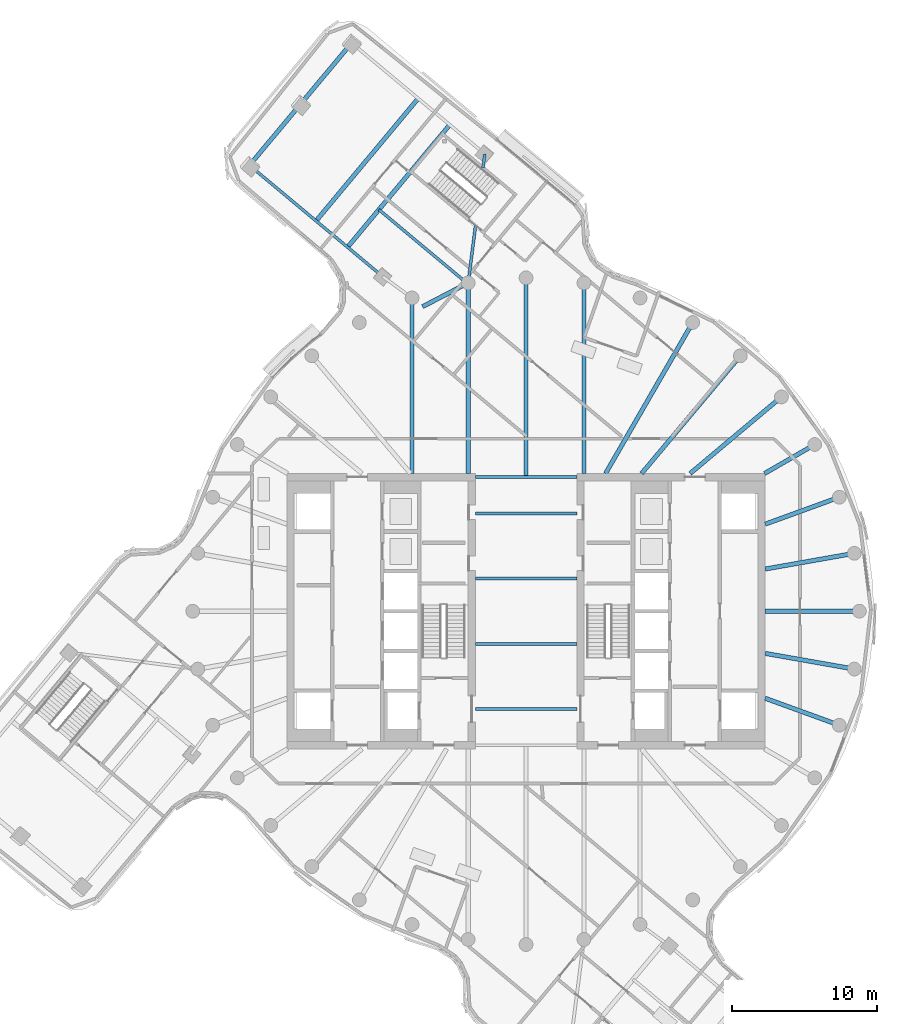
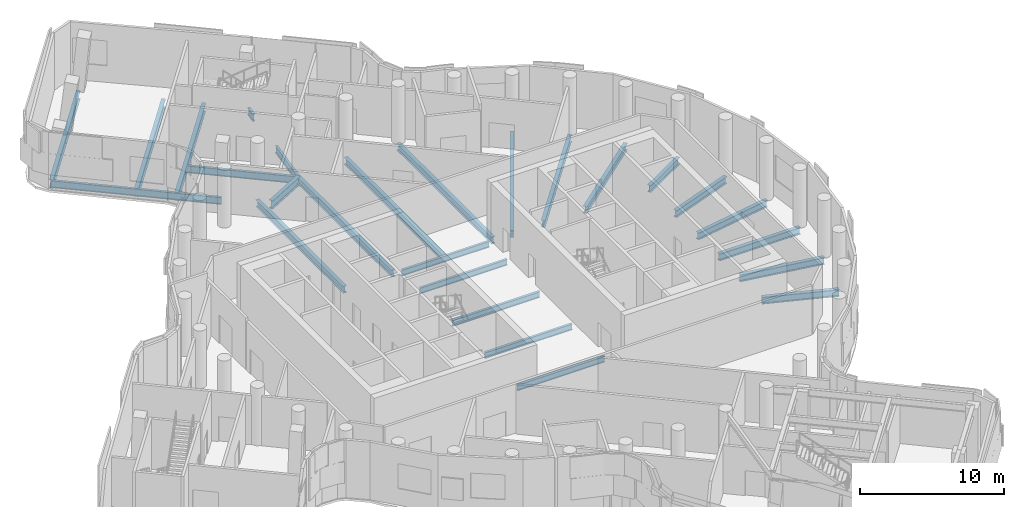
# One storey, part 4 of 19: 27 beams.
"""IFC4 building model written with IfcOpenShell, lengths in metres."""

from ifc_helpers import new_model, si_unit, direction, frame, origin, origin_2d, place, context, subcontext, project, spatial, i_section, extrude, material, material_profile, profile_set, type_object, element, save


model = new_model("IFC4")

# Units and contexts
model_context = context("Model", 3, precision=1e-05, world=origin(), true_north=direction((0.0, 1.0)))
body_context = subcontext(model_context, "Body", "Model", "MODEL_VIEW")
ifc_project = project(units=[si_unit("LENGTHUNIT", "METRE"), si_unit("AREAUNIT", "SQUARE_METRE"), si_unit("VOLUMEUNIT", "CUBIC_METRE"), si_unit("PLANEANGLEUNIT", "RADIAN"), si_unit("MASSUNIT", "GRAM", prefix="KILO")], contexts=[model_context])

# Site, building, storey
site_placement = place(None, origin())
site = spatial("IfcSite", under=ifc_project, at=site_placement, CompositionType="ELEMENT")
building_placement = place(site_placement, origin())
building = spatial("IfcBuilding", under=site, at=building_placement, Name="Tamarind Cross Interchange Tower", CompositionType="ELEMENT")
storey_placement = place(building_placement, frame((0.0, 0.0, 214.89990234375)))
storey = spatial("IfcBuildingStorey", under=building, at=storey_placement, Name="L54", CompositionType="ELEMENT", Elevation=214.89990234375)

# Beams
ifc_material = material(Name="Steel Q355B", Category="steel")
ifc_material_profile_1 = material_profile(ifc_material, i_section(OverallWidth=0.300048828125, OverallDepth=0.58203125, WebThickness=0.011962890625, FlangeThickness=0.01708984375, FilletRadius=0.01806640625, at=origin_2d()), Name="HM 582x300x12x17")
ifc_profile_set_1 = profile_set([ifc_material_profile_1], Name="Steel Q355B")
beam_type_1 = type_object("IfcBeamType", Name="Composite beam HM 582x300x12x17 Q355B", PredefinedType="BEAM", material=ifc_profile_set_1)
beam_1_placement = place(storey_placement, frame((23.0, 0.0, -0.470947265625), z_axis=(-1.0, 0.0, 0.0), x_axis=(0.0, -1.0, 0.0)))
element("IfcBeam", 1, at=beam_1_placement, inside=storey, type_object=beam_type_1, Name="Beam HH00", PredefinedType="BEAM", context=body_context, shape_type="SweptSolid", body=[
    extrude(i_section(OverallWidth=0.300048828125, OverallDepth=0.58203125, WebThickness=0.011962890625, FlangeThickness=0.01708984375, FilletRadius=0.01806640625, at=origin_2d()), origin(), (0.0, 0.0, 1.0), 6.5),
])
beam_2_placement = place(storey_placement, frame((22.650634765625, 3.993896484375, -0.470947265625), z_axis=(-0.984809127561, -0.173640382036, 0.0), x_axis=(0.173640382036, -0.984809127561, 0.0)))
element("IfcBeam", 2, at=beam_2_placement, inside=storey, type_object=beam_type_1, Name="Beam HH01", PredefinedType="BEAM", context=body_context, shape_type="SweptSolid", body=[
    extrude(i_section(OverallWidth=0.300048828125, OverallDepth=0.58203125, WebThickness=0.011962890625, FlangeThickness=0.01708984375, FilletRadius=0.01806640625, at=origin_2d()), origin(), (0.0, 0.0, 1.0), 6.24560546875),
])
beam_3_placement = place(storey_placement, frame((21.613037109375, 7.866455078125, -0.470947265625), z_axis=(-0.939701685589, -0.341995236956, 0.0), x_axis=(0.341995236956, -0.939701685589, 0.0)))
element("IfcBeam", 3, at=beam_3_placement, inside=storey, type_object=beam_type_1, Name="Beam HH02", PredefinedType="BEAM", context=body_context, shape_type="SweptSolid", body=[
    extrude(i_section(OverallWidth=0.300048828125, OverallDepth=0.58203125, WebThickness=0.011962890625, FlangeThickness=0.01708984375, FilletRadius=0.01806640625, at=origin_2d()), origin(), (0.0, 0.0, 1.0), 5.441162109375),
])
beam_4_placement = place(storey_placement, frame((19.918701171875, 11.5, -0.470947265625), z_axis=(-0.866026010844, -0.49999894854, 0.0), x_axis=(0.49999894854, -0.866026010844, 0.0)))
element("IfcBeam", 4, at=beam_4_placement, inside=storey, type_object=beam_type_1, Name="Beam HH03", PredefinedType="BEAM", context=body_context, shape_type="SweptSolid", body=[
    extrude(i_section(OverallWidth=0.300048828125, OverallDepth=0.58203125, WebThickness=0.011962890625, FlangeThickness=0.01708984375, FilletRadius=0.01806640625, at=origin_2d()), origin(), (0.0, 0.0, 1.0), 4.0),
])
beam_5_placement = place(storey_placement, frame((17.619140625, 14.7841796875, -0.470947265625), z_axis=(-0.766040580814, -0.642792212574, 0.0), x_axis=(0.642792212574, -0.766040580814, 0.0)))
element("IfcBeam", 5, at=beam_5_placement, inside=storey, type_object=beam_type_1, Name="Beam HH04", PredefinedType="BEAM", context=body_context, shape_type="SweptSolid", body=[
    extrude(i_section(OverallWidth=0.300048828125, OverallDepth=0.58203125, WebThickness=0.011962890625, FlangeThickness=0.01708984375, FilletRadius=0.01806640625, at=origin_2d()), origin(), (0.0, 0.0, 1.0), 8.220703125),
])
beam_6_placement = place(storey_placement, frame((14.7841796875, 17.619140625, -0.470947265625), z_axis=(-0.642786293979, -0.766045547127, 0.0), x_axis=(0.766045547127, -0.642786293979, 0.0)))
element("IfcBeam", 6, at=beam_6_placement, inside=storey, type_object=beam_type_1, Name="Beam HH05", PredefinedType="BEAM", context=body_context, shape_type="SweptSolid", body=[
    extrude(i_section(OverallWidth=0.300048828125, OverallDepth=0.58203125, WebThickness=0.011962890625, FlangeThickness=0.01708984375, FilletRadius=0.01806640625, at=origin_2d()), origin(), (0.0, 0.0, 1.0), 10.598876953125),
])
beam_7_placement = place(storey_placement, frame((11.5, 19.918701171875, -0.470947265625), z_axis=(-0.499993565836, -0.866029118519, 0.0), x_axis=(0.866029118519, -0.499993565836, 0.0)))
element("IfcBeam", 7, at=beam_7_placement, inside=storey, type_object=beam_type_1, Name="Beam HH06", PredefinedType="BEAM", context=body_context, shape_type="SweptSolid", body=[
    extrude(i_section(OverallWidth=0.300048828125, OverallDepth=0.58203125, WebThickness=0.011962890625, FlangeThickness=0.01708984375, FilletRadius=0.01806640625, at=origin_2d()), origin(), (0.0, 0.0, 1.0), 12.030517578125),
])
beam_8_placement = place(storey_placement, frame((3.993896484375, 22.650634765625, -0.470947265625), z_axis=(0.0, -1.0, 0.0), x_axis=(1.0, 0.0, 0.0)))
element("IfcBeam", 8, at=beam_8_placement, inside=storey, type_object=beam_type_1, Name="Beam HH08", PredefinedType="BEAM", context=body_context, shape_type="SweptSolid", body=[
    extrude(i_section(OverallWidth=0.300048828125, OverallDepth=0.58203125, WebThickness=0.011962890625, FlangeThickness=0.01708984375, FilletRadius=0.01806640625, at=origin_2d()), origin(), (0.0, 0.0, 1.0), 13.150634765625),
])
beam_9_placement = place(storey_placement, frame((0.0, 23.0, -0.470947265625), z_axis=(0.0, -1.0, 0.0), x_axis=(1.0, 0.0, 0.0)))
element("IfcBeam", 9, at=beam_9_placement, inside=storey, type_object=beam_type_1, Name="Beam HH09", PredefinedType="BEAM", context=body_context, shape_type="SweptSolid", body=[
    extrude(i_section(OverallWidth=0.300048828125, OverallDepth=0.58203125, WebThickness=0.011962890625, FlangeThickness=0.01708984375, FilletRadius=0.01806640625, at=origin_2d()), origin(), (0.0, 0.0, 1.0), 13.75),
])
beam_10_placement = place(storey_placement, frame((-3.993896484375, 22.650634765625, -0.470947265625), z_axis=(0.0, -1.0, 0.0), x_axis=(1.0, 0.0, 0.0)))
element("IfcBeam", 10, at=beam_10_placement, inside=storey, type_object=beam_type_1, Name="Beam HH10", PredefinedType="BEAM", context=body_context, shape_type="SweptSolid", body=[
    extrude(i_section(OverallWidth=0.300048828125, OverallDepth=0.58203125, WebThickness=0.011962890625, FlangeThickness=0.01708984375, FilletRadius=0.01806640625, at=origin_2d()), origin(), (0.0, 0.0, 1.0), 13.150634765625),
])
beam_11_placement = place(storey_placement, frame((-7.866455078125, 21.613037109375, -0.470947265625), z_axis=(0.0, -1.0, 0.0), x_axis=(1.0, 0.0, 0.0)))
element("IfcBeam", 11, at=beam_11_placement, inside=storey, type_object=beam_type_1, Name="Beam HH11", PredefinedType="BEAM", context=body_context, shape_type="SweptSolid", body=[
    extrude(i_section(OverallWidth=0.300048828125, OverallDepth=0.58203125, WebThickness=0.011962890625, FlangeThickness=0.01708984375, FilletRadius=0.01806640625, at=origin_2d()), origin(), (0.0, 0.0, 1.0), 12.113037109375),
])
beam_12_placement = place(storey_placement, frame((21.613037109375, -7.866455078125, -0.470947265625), z_axis=(-0.939701685589, 0.341995236956, 0.0), x_axis=(-0.341995236956, -0.939701685589, 0.0)))
element("IfcBeam", 12, at=beam_12_placement, inside=storey, type_object=beam_type_1, Name="Beam HH34", PredefinedType="BEAM", context=body_context, shape_type="SweptSolid", body=[
    extrude(i_section(OverallWidth=0.300048828125, OverallDepth=0.58203125, WebThickness=0.011962890625, FlangeThickness=0.01708984375, FilletRadius=0.01806640625, at=origin_2d()), origin(), (0.0, 0.0, 1.0), 5.441162109375),
])
beam_13_placement = place(storey_placement, frame((22.650634765625, -3.993896484375, -0.470947265625), z_axis=(-0.984809127561, 0.173640382036, 0.0), x_axis=(-0.173640382036, -0.984809127561, 0.0)))
element("IfcBeam", 13, at=beam_13_placement, inside=storey, type_object=beam_type_1, Name="Beam HH35", PredefinedType="BEAM", context=body_context, shape_type="SweptSolid", body=[
    extrude(i_section(OverallWidth=0.300048828125, OverallDepth=0.58203125, WebThickness=0.011962890625, FlangeThickness=0.01708984375, FilletRadius=0.01806640625, at=origin_2d()), origin(), (0.0, 0.0, 1.0), 6.24560546875),
])
ifc_material_profile_2 = material_profile(ifc_material, i_section(OverallWidth=0.198974609375, OverallDepth=0.49609375, WebThickness=0.009033203125, FlangeThickness=0.013916015625, FilletRadius=0.012939453125, at=origin_2d()), Name="HN 496x199x9x14")
ifc_profile_set_2 = profile_set([ifc_material_profile_2], Name="Steel Q355B")
beam_type_2 = type_object("IfcBeamType", Name="Composite beam HN 496x199x9x14 Q355B", PredefinedType="BEAM", material=ifc_profile_set_2)
for number, where, z_axis, x_axis, name in (
    (14, (-3.5, -2.25, -0.427978515625), (1.0, 0.0, 0.0), (0.0, 1.0, 0.0), "Beam G-2.25"),
    (15, (-3.5, -6.75, -0.427978515625), (1.0, 0.0, 0.0), (0.0, 1.0, 0.0), "Beam G-6.75"),
    (16, (-3.5, 2.25, -0.427978515625), (1.0, 0.0, 0.0), (0.0, 1.0, 0.0), "Beam G2.25"),
    (17, (-3.5, 6.75, -0.427978515625), (1.0, 0.0, 0.0), (0.0, 1.0, 0.0), "Beam G6.75"),
    (18, (-3.5, 9.25, -0.427978515625), (1.0, 0.0, 0.0), (0.0, 1.0, 0.0), "Beam G9.25"),
):
    element("IfcBeam", number, at=place(storey_placement, frame(where, z_axis=z_axis, x_axis=x_axis)), inside=storey, type_object=beam_type_2, Name=name, PredefinedType="BEAM", context=body_context, shape_type="SweptSolid", body=[
        extrude(i_section(OverallWidth=0.198974609375, OverallDepth=0.49609375, WebThickness=0.009033203125, FlangeThickness=0.013916015625, FilletRadius=0.012939453125, at=origin_2d()), origin(), (0.0, 0.0, 1.0), 7.0),
    ])
ifc_material_profile_3 = material_profile(ifc_material, i_section(OverallWidth=0.199951171875, OverallDepth=0.60009765625, WebThickness=0.010986328125, FlangeThickness=0.01708984375, FilletRadius=0.012939453125, at=origin_2d()), Name="HN 600x200x11x17")
ifc_profile_set_3 = profile_set([ifc_material_profile_3], Name="Steel Q355B")
beam_type_3 = type_object("IfcBeamType", Name="Composite beam HN 600x200x11x17 Q355B", PredefinedType="BEAM", material=ifc_profile_set_3)
beam_14_placement = place(storey_placement, frame((-19.082275390625, 30.762939453125, -0.47998046875), z_axis=(0.767720966639, -0.64078429864, 0.0), x_axis=(0.64078429864, 0.767720966639, 0.0)))
element("IfcBeam", 19, at=beam_14_placement, inside=storey, type_object=beam_type_3, Name="Beam N-edgeep2", PredefinedType="BEAM", context=body_context, shape_type="SweptSolid", body=[
    extrude(i_section(OverallWidth=0.199951171875, OverallDepth=0.60009765625, WebThickness=0.010986328125, FlangeThickness=0.01708984375, FilletRadius=0.012939453125, at=origin_2d()), origin(), (0.0, 0.0, 1.0), 11.965087890625),
])
beam_15_placement = place(storey_placement, frame((-2.847900390625, 31.541015625, -0.47998046875), z_axis=(-0.127897849268, -0.991787346235, 0.0), x_axis=(0.991787346235, -0.127897849268, 0.0)))
element("IfcBeam", 20, at=beam_15_placement, inside=storey, type_object=beam_type_3, Name="Beam N-linkemt0", PredefinedType="BEAM", context=body_context, shape_type="SweptSolid", body=[
    extrude(i_section(OverallWidth=0.199951171875, OverallDepth=0.60009765625, WebThickness=0.010986328125, FlangeThickness=0.01708984375, FilletRadius=0.012939453125, at=origin_2d()), origin(), (0.0, 0.0, 1.0), 0.94873046875),
])
beam_16_placement = place(storey_placement, frame((-3.484619140625, 26.6015625, -0.47998046875), z_axis=(-0.127842993114, -0.991794418774, 0.0), x_axis=(0.991794418774, -0.127842993114, 0.0)))
element("IfcBeam", 21, at=beam_16_placement, inside=storey, type_object=beam_type_3, Name="Beam N-linkemt1", PredefinedType="BEAM", context=body_context, shape_type="SweptSolid", body=[
    extrude(i_section(OverallWidth=0.199951171875, OverallDepth=0.60009765625, WebThickness=0.010986328125, FlangeThickness=0.01708984375, FilletRadius=0.012939453125, at=origin_2d()), origin(), (0.0, 0.0, 1.0), 3.983642578125),
])
beam_17_placement = place(storey_placement, frame((-4.056640625, 22.617919921875, -0.47998046875), z_axis=(-0.767734603305, 0.640767960254, 0.0), x_axis=(-0.640767960254, -0.767734603305, 0.0)))
element("IfcBeam", 22, at=beam_17_placement, inside=storey, type_object=beam_type_3, Name="Beam N-stripp", PredefinedType="BEAM", context=body_context, shape_type="SweptSolid", body=[
    extrude(i_section(OverallWidth=0.199951171875, OverallDepth=0.60009765625, WebThickness=0.010986328125, FlangeThickness=0.01708984375, FilletRadius=0.012939453125, at=origin_2d()), origin(), (0.0, 0.0, 1.0), 7.939453125),
])
ifc_material_profile_4 = material_profile(ifc_material, i_section(OverallWidth=0.300048828125, OverallDepth=0.699951171875, WebThickness=0.012939453125, FlangeThickness=0.02392578125, FilletRadius=0.01806640625, at=origin_2d()), Name="HN 700x300x13x24")
ifc_profile_set_4 = profile_set([ifc_material_profile_4], Name="Steel Q355B")
beam_type_4 = type_object("IfcBeamType", Name="Composite beam HN 700x300x13x24 Q355B", PredefinedType="BEAM", material=ifc_profile_set_4)
beam_18_placement = place(storey_placement, frame((-12.033935546875, 39.2080078125, -0.52978515625), z_axis=(-0.640751818971, -0.767748074882, 0.0), x_axis=(0.767748074882, -0.640751818971, 0.0)))
element("IfcBeam", 23, at=beam_18_placement, inside=storey, type_object=beam_type_4, Name="Beam N-tip0", PredefinedType="BEAM", context=body_context, shape_type="SweptSolid", body=[
    extrude(i_section(OverallWidth=0.300048828125, OverallDepth=0.699951171875, WebThickness=0.012939453125, FlangeThickness=0.02392578125, FilletRadius=0.01806640625, at=origin_2d()), origin(), (0.0, 0.0, 1.0), 5.5),
])
beam_19_placement = place(storey_placement, frame((-15.55810546875, 34.9853515625, -0.52978515625), z_axis=(-0.640773655886, -0.767729849571, 0.0), x_axis=(0.767729849571, -0.640773655886, 0.0)))
element("IfcBeam", 24, at=beam_19_placement, inside=storey, type_object=beam_type_4, Name="Beam N-tip1", PredefinedType="BEAM", context=body_context, shape_type="SweptSolid", body=[
    extrude(i_section(OverallWidth=0.300048828125, OverallDepth=0.699951171875, WebThickness=0.012939453125, FlangeThickness=0.02392578125, FilletRadius=0.01806640625, at=origin_2d()), origin(), (0.0, 0.0, 1.0), 5.499755859375),
])
beam_20_placement = place(storey_placement, frame((-3.993896484375, 22.650634765625, -0.52978515625), z_axis=(-0.886880052189, -0.461999754361, 0.0), x_axis=(0.461999754361, -0.886880052189, 0.0)))
element("IfcBeam", 25, at=beam_20_placement, inside=storey, type_object=beam_type_4, Name="Beam N-x268", PredefinedType="BEAM", context=body_context, shape_type="SweptSolid", body=[
    extrude(i_section(OverallWidth=0.300048828125, OverallDepth=0.699951171875, WebThickness=0.012939453125, FlangeThickness=0.02392578125, FilletRadius=0.01806640625, at=origin_2d()), origin(), (0.0, 0.0, 1.0), 3.5517578125),
])
for number, where, z_axis, x_axis, name in (
    (26, (-5.266357421875, 33.559326171875, -0.52978515625), (-0.640762737307, -0.767738962459, 0.0), (0.767738962459, -0.640762737307, 0.0), "Beam N-x334"),
    (27, (-7.44091796875, 35.37451171875, -0.52978515625), (-0.640775819133, -0.767728044046, 0.0), (0.767728044046, -0.640775819133, 0.0), "Beam N-x363"),
):
    element("IfcBeam", number, at=place(storey_placement, frame(where, z_axis=z_axis, x_axis=x_axis)), inside=storey, type_object=beam_type_4, Name=name, PredefinedType="BEAM", context=body_context, shape_type="SweptSolid", body=[
        extrude(i_section(OverallWidth=0.300048828125, OverallDepth=0.699951171875, WebThickness=0.012939453125, FlangeThickness=0.02392578125, FilletRadius=0.01806640625, at=origin_2d()), origin(), (0.0, 0.0, 1.0), 11.0),
    ])

save(model, "model.ifc")
